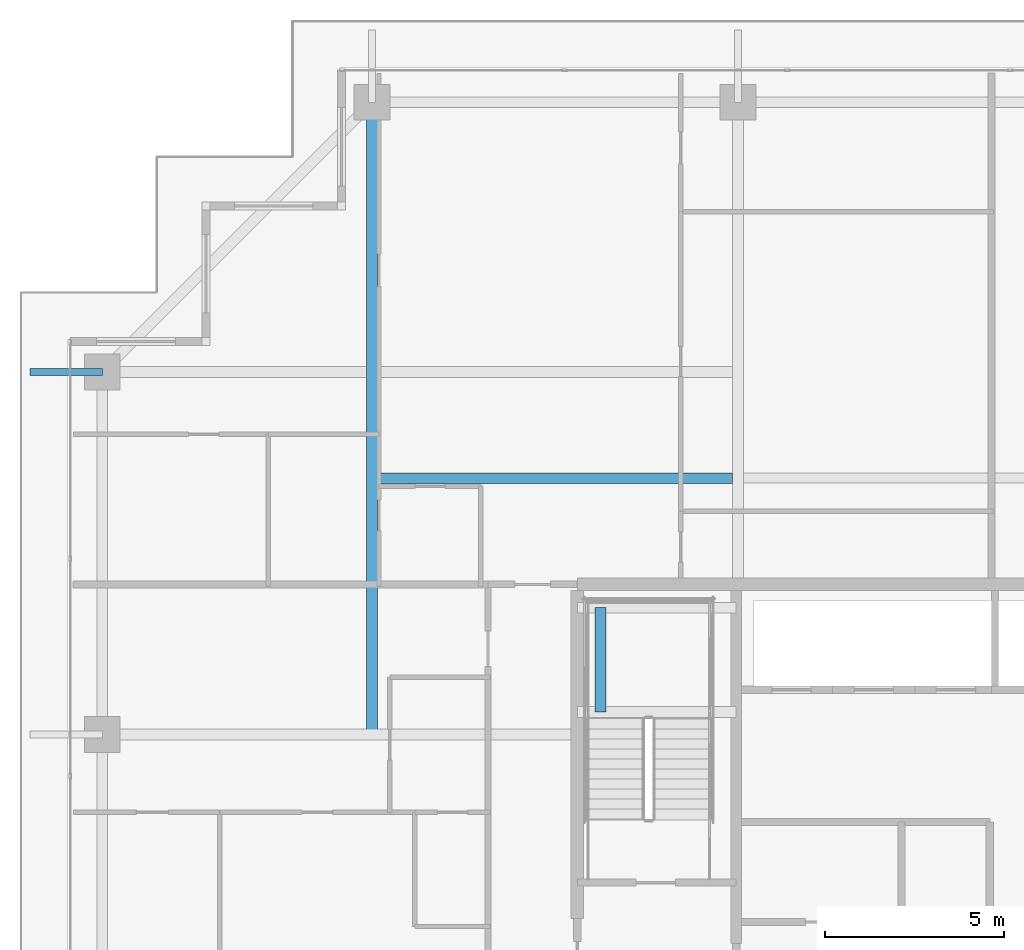
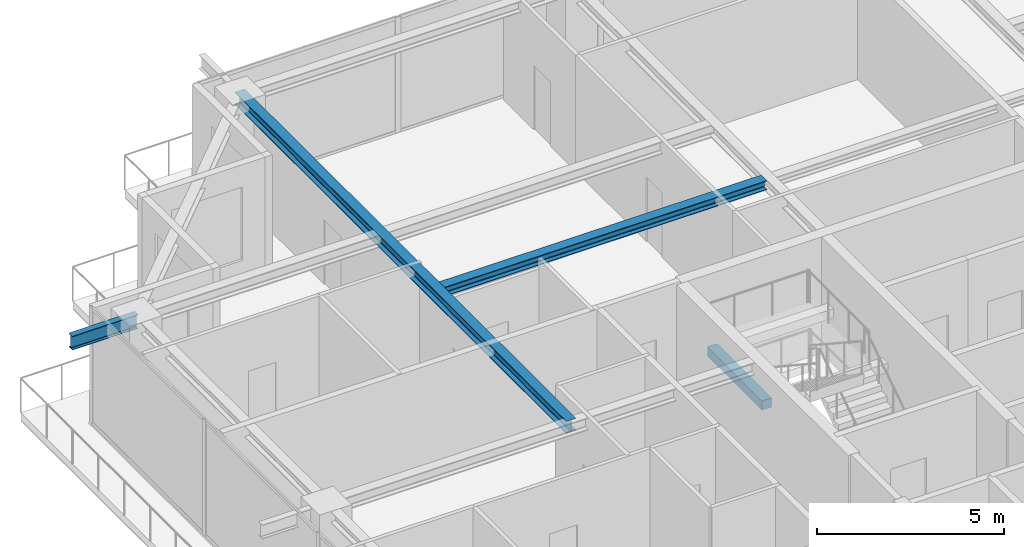
# One storey, part 20 of 42: 4 beams.
"""IFC4 building model written with IfcOpenShell, lengths in metres."""

from ifc_helpers import new_model, si_unit, direction, frame, origin, origin_2d, place, context, subcontext, project, spatial, rectangle, i_section, extrude, source, transform, mapped, material, material_profile, profile_set, type_object, element, save


model = new_model("IFC4")

# Units and contexts
model_context = context("Model", 3, precision=1e-05, world=origin(), true_north=direction((0.0, 1.0)))
body_context = subcontext(model_context, "Body", "Model", "MODEL_VIEW")
ifc_project = project(units=[si_unit("LENGTHUNIT", "METRE"), si_unit("AREAUNIT", "SQUARE_METRE"), si_unit("VOLUMEUNIT", "CUBIC_METRE"), si_unit("PLANEANGLEUNIT", "RADIAN"), si_unit("MASSUNIT", "GRAM", prefix="KILO")], contexts=[model_context])

# Site, building, storey
site_placement = place(None, origin())
site = spatial("IfcSite", under=ifc_project, at=site_placement, CompositionType="ELEMENT")
building_placement = place(site_placement, origin())
building = spatial("IfcBuilding", under=site, at=building_placement, Name="Serunith Strait Residences", CompositionType="ELEMENT")
storey_placement = place(building_placement, frame((0.0, 0.0, 293.449951171875)))
storey = spatial("IfcBuildingStorey", under=building, at=storey_placement, Name="L73", CompositionType="ELEMENT", Elevation=293.449951171875)

# Beams
ifc_material_1 = material(Name="Steel S355J2", Category="steel")
ifc_material_profile_1 = material_profile(ifc_material_1, i_section(OverallWidth=0.300048828125, OverallDepth=0.300048828125, WebThickness=0.010986328125, FlangeThickness=0.01904296875, FilletRadius=0.027099609375, at=origin_2d()), Name="HEB 300")
ifc_profile_set_1 = profile_set([ifc_material_profile_1], Name="Steel S355J2")
beam_type_1 = type_object("IfcBeamType", Name="BM-HEB300", PredefinedType="JOIST", material=ifc_profile_set_1)
shared_shape_1 = source(origin(), body_context, "Body", "SweptSolid", [
    extrude(i_section(OverallWidth=0.300048828125, OverallDepth=0.300048828125, WebThickness=0.010986328125, FlangeThickness=0.01904296875, FilletRadius=0.027099609375, at=origin_2d()), origin(), (0.0, 0.0, 1.0), 9.949951171875),
])
beam_1_placement = place(storey_placement, frame((17.800048828125, 36.574951171875, 3.636962890625), z_axis=(1.0, 0.0, 0.0), x_axis=(0.0, 1.0, 0.0)))
element("IfcBeam", 1, at=beam_1_placement, inside=storey, type_object=beam_type_1, Name="L73 Composite Floor Joist 04", PredefinedType="JOIST", context=body_context, shape_type="MappedRepresentation", body=[
    mapped(shared_shape_1, transform((0.0, 0.0, 0.0), scale=1.0)),
])
ifc_material_profile_2 = material_profile(ifc_material_1, i_section(OverallWidth=0.300048828125, OverallDepth=0.39990234375, WebThickness=0.013427734375, FlangeThickness=0.02392578125, FilletRadius=0.027099609375, at=origin_2d()), Name="HEB 400")
ifc_profile_set_2 = profile_set([ifc_material_profile_2], Name="Steel S355J2")
beam_type_2 = type_object("IfcBeamType", Name="BM-HEB400", PredefinedType="BEAM", material=ifc_profile_set_2)
shared_shape_2 = source(origin(), body_context, "Body", "SweptSolid", [
    extrude(i_section(OverallWidth=0.300048828125, OverallDepth=0.39990234375, WebThickness=0.013427734375, FlangeThickness=0.02392578125, FilletRadius=0.027099609375, at=origin_2d()), origin(), (0.0, 0.0, 1.0), 17.7001953125),
])
beam_2_placement = place(storey_placement, frame((17.64990234375, 29.39990234375, 3.587158203125), z_axis=(0.0, 1.0, 0.0), x_axis=(-1.0, 0.0, 0.0)))
element("IfcBeam", 2, at=beam_2_placement, inside=storey, type_object=beam_type_2, Name="L73 Orthogonal Corner Girder TC-N1", PredefinedType="BEAM", context=body_context, shape_type="MappedRepresentation", body=[
    mapped(shared_shape_2, transform((0.0, 0.0, 0.0), scale=1.0)),
])
ifc_material_profile_3 = material_profile(ifc_material_1, i_section(OverallWidth=0.18994140625, OverallDepth=0.449951171875, WebThickness=0.009521484375, FlangeThickness=0.0146484375, FilletRadius=0.02099609375, at=origin_2d()), Name="IPE 450")
ifc_profile_set_3 = profile_set([ifc_material_profile_3], Name="Steel S355J2")
beam_type_3 = type_object("IfcBeamType", Name="BM-IPE450", PredefinedType="JOIST", material=ifc_profile_set_3)
shared_shape_3 = source(origin(), body_context, "Body", "SweptSolid", [
    extrude(i_section(OverallWidth=0.18994140625, OverallDepth=0.449951171875, WebThickness=0.009521484375, FlangeThickness=0.0146484375, FilletRadius=0.02099609375, at=origin_2d()), origin(), (0.0, 0.0, 1.0), 2.030029296875),
])
beam_3_placement = place(storey_placement, frame((10.10009765625, 39.550048828125, 3.531982421875), z_axis=(-1.0, 0.0, 0.0), x_axis=(0.0, -1.0, 0.0)))
element("IfcBeam", 3, at=beam_3_placement, inside=storey, type_object=beam_type_3, Name="L74 Cantilevered Balcony Rib TC-W4", PredefinedType="JOIST", context=body_context, shape_type="MappedRepresentation", body=[
    mapped(shared_shape_3, transform((0.0, 0.0, 0.0), scale=1.0)),
])
ifc_material_2 = material(Name="Concrete C60/75", Category="concrete")
ifc_material_profile_4 = material_profile(ifc_material_2, rectangle(XDim=0.300048828125, YDim=0.300048828125, at=origin_2d()), Name="RC 300x300")
ifc_profile_set_4 = profile_set([ifc_material_profile_4], Name="Concrete C60/75")
beam_type_4 = type_object("IfcBeamType", Name="BM-LAND-300x300", PredefinedType="BEAM", material=ifc_profile_set_4)
shared_shape_4 = source(origin(), body_context, "Body", "SweptSolid", [
    extrude(rectangle(XDim=0.300048828125, YDim=0.300048828125, at=origin_2d()), origin(), (0.0, 0.0, 1.0), 2.919921875),
])
beam_4_placement = place(storey_placement, frame((24.050048828125, 30.030029296875, 1.675048828125), z_axis=(0.0, 1.0, 0.0), x_axis=(-1.0, 0.0, 0.0)))
element("IfcBeam", 4, at=beam_4_placement, inside=storey, type_object=beam_type_4, Name="L73 ST-1 Landing Transverse Tie Beam", PredefinedType="BEAM", context=body_context, shape_type="MappedRepresentation", body=[
    mapped(shared_shape_4, transform((0.0, 0.0, 0.0), scale=1.0)),
])

save(model, "model.ifc")
